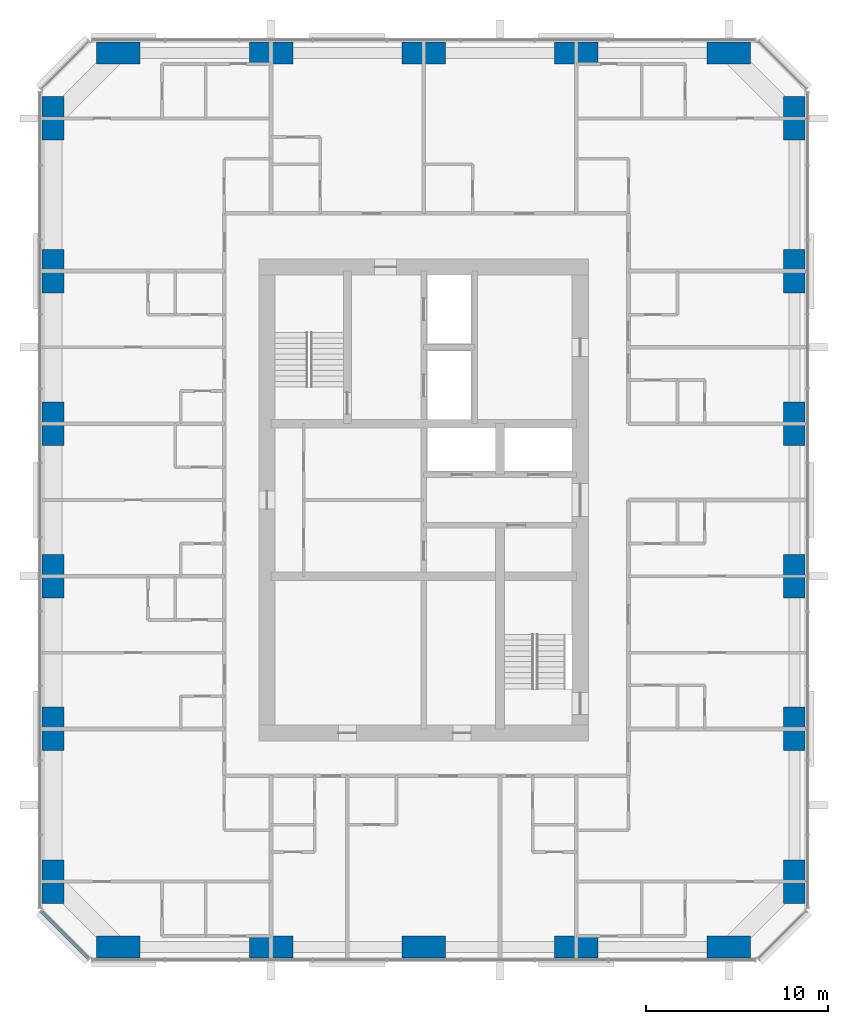
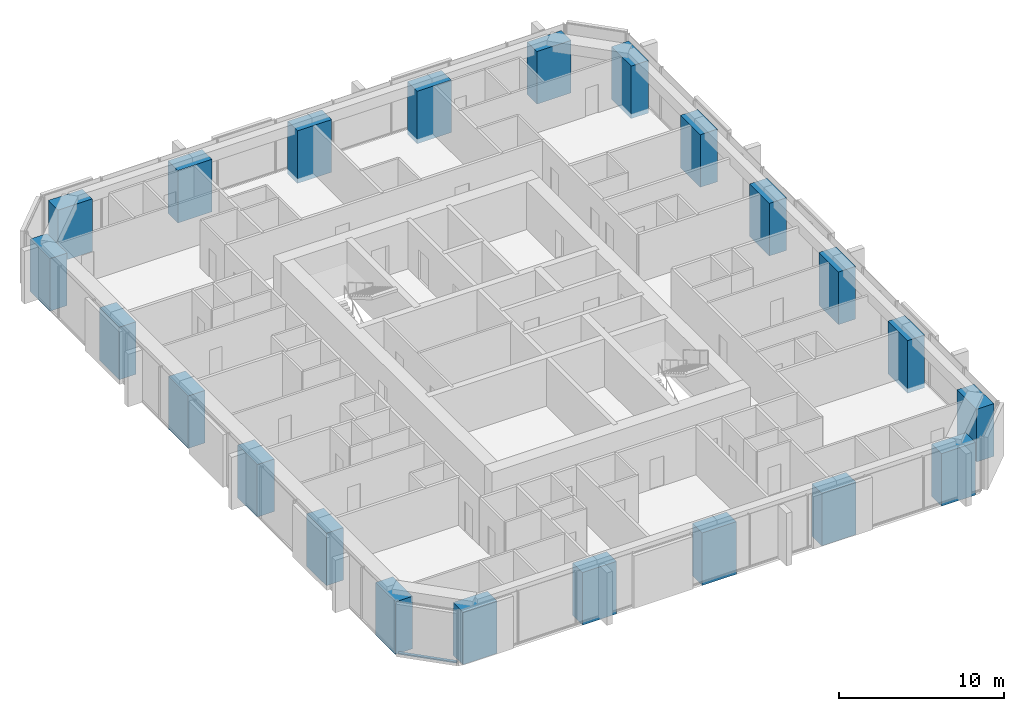
# One storey, part 1 of 12: 22 columns, 1 member, 1 element without a shape of its own.
"""IFC4 building model written with IfcOpenShell, lengths in metres."""

from ifc_helpers import new_model, si_unit, direction, frame, origin, origin_2d, place, context, subcontext, project, spatial, rectangle, extrude, material, material_profile, profile_set, type_object, element, aggregate, save


model = new_model("IFC4")

# Units and contexts
model_context = context("Model", 3, precision=1e-05, world=origin(), true_north=direction((0.0, 1.0)))
body_context = subcontext(model_context, "Body", "Model", "MODEL_VIEW")
ifc_project = project(units=[si_unit("LENGTHUNIT", "METRE"), si_unit("AREAUNIT", "SQUARE_METRE"), si_unit("VOLUMEUNIT", "CUBIC_METRE"), si_unit("PLANEANGLEUNIT", "RADIAN"), si_unit("MASSUNIT", "GRAM", prefix="KILO")], contexts=[model_context])

# Site, building, storey
site_placement = place(None, origin())
site = spatial("IfcSite", under=ifc_project, at=site_placement, CompositionType="ELEMENT")
building_placement = place(site_placement, origin())
building = spatial("IfcBuilding", under=site, at=building_placement, Name="Dunama Terrace Hotel", CompositionType="ELEMENT")
storey_placement = place(building_placement, frame((0.0, 0.0, 233.39990234375)))
storey = spatial("IfcBuildingStorey", under=building, at=storey_placement, Name="L60", CompositionType="ELEMENT", Elevation=233.39990234375)

# Columns
ifc_material_1 = material(Name="Concrete C60/75", Category="concrete")
ifc_material_profile_1 = material_profile(ifc_material_1, rectangle(XDim=1.199951171875, YDim=2.39990234375, at=origin_2d()), Name="RC 1200x2400")
ifc_profile_set_1 = profile_set([ifc_material_profile_1], Name="Concrete C60/75")
column_type_1 = type_object("IfcColumnType", Name="Column RC 1200x2400", PredefinedType="COLUMN", material=ifc_profile_set_1)
for number, where, z_axis, x_axis, name in (
    (1, (13.199951171875, 8.39990234375, -0.349853515625), (0.0, 0.0, 1.0), (1.0, 0.0, 0.0), "Column L60 +13.2/+8.4"),
    (2, (13.199951171875, 16.800048828125, -0.349853515625), (0.0, 0.0, 1.0), (1.0, 0.0, 0.0), "Column L60 +13.2/+16.8"),
    (3, (13.199951171875, 25.199951171875, -0.349853515625), (0.0, 0.0, 1.0), (1.0, 0.0, 0.0), "Column L60 +13.2/+25.2"),
    (4, (13.199951171875, 33.60009765625, -0.349853515625), (0.0, 0.0, 1.0), (1.0, 0.0, 0.0), "Column L60 +13.2/+33.6"),
    (5, (13.199951171875, 42.0, -0.349853515625), (0.0, 0.0, 1.0), (1.0, 0.0, 0.0), "Column L60 +13.2/+42.0"),
    (6, (13.199951171875, 50.39990234375, -0.349853515625), (0.0, 0.0, 1.0), (1.0, 0.0, 0.0), "Column L60 +13.2/+50.4"),
    (7, (54.0, 8.39990234375, -0.349853515625), (0.0, 0.0, 1.0), (1.0, 0.0, 0.0), "Column L60 +54.0/+8.4"),
    (8, (54.0, 16.800048828125, -0.349853515625), (0.0, 0.0, 1.0), (1.0, 0.0, 0.0), "Column L60 +54.0/+16.8"),
    (9, (54.0, 25.199951171875, -0.349853515625), (0.0, 0.0, 1.0), (1.0, 0.0, 0.0), "Column L60 +54.0/+25.2"),
    (10, (54.0, 33.60009765625, -0.349853515625), (0.0, 0.0, 1.0), (1.0, 0.0, 0.0), "Column L60 +54.0/+33.6"),
    (11, (54.0, 42.0, -0.349853515625), (0.0, 0.0, 1.0), (1.0, 0.0, 0.0), "Column L60 +54.0/+42.0"),
    (12, (54.0, 50.39990234375, -0.349853515625), (0.0, 0.0, 1.0), (1.0, 0.0, 0.0), "Column L60 +54.0/+50.4"),
):
    element("IfcColumn", number, at=place(storey_placement, frame(where, z_axis=z_axis, x_axis=x_axis)), inside=storey, type_object=column_type_1, Name=name, PredefinedType="COLUMN", context=body_context, shape_type="SweptSolid", body=[
        extrude(rectangle(XDim=1.199951171875, YDim=2.39990234375, at=origin_2d()), origin(), (0.0, 0.0, 1.0), 3.89990234375),
    ])
ifc_material_2 = material(Name="Concrete C60/75", Category="concrete")
ifc_material_profile_2 = material_profile(ifc_material_2, rectangle(XDim=2.39990234375, YDim=1.199951171875, at=origin_2d()), Name="RC 2400x1200")
ifc_profile_set_2 = profile_set([ifc_material_profile_2], Name="Concrete C60/75")
column_type_2 = type_object("IfcColumnType", Name="Column RC 2400x1200", PredefinedType="COLUMN", material=ifc_profile_set_2)
for number, where, z_axis, x_axis, name in (
    (13, (16.800048828125, 4.800048828125, -0.349853515625), (0.0, 0.0, 1.0), (1.0, 0.0, 0.0), "Column L60 +16.8/+4.8"),
    (14, (16.800048828125, 54.0, -0.349853515625), (0.0, 0.0, 1.0), (1.0, 0.0, 0.0), "Column L60 +16.8/+54.0"),
    (15, (25.199951171875, 4.800048828125, -0.349853515625), (0.0, 0.0, 1.0), (1.0, 0.0, 0.0), "Column L60 +25.2/+4.8"),
    (16, (25.199951171875, 54.0, -0.349853515625), (0.0, 0.0, 1.0), (1.0, 0.0, 0.0), "Column L60 +25.2/+54.0"),
    (17, (33.60009765625, 4.800048828125, -0.349853515625), (0.0, 0.0, 1.0), (1.0, 0.0, 0.0), "Column L60 +33.6/+4.8"),
    (18, (33.60009765625, 54.0, -0.349853515625), (0.0, 0.0, 1.0), (1.0, 0.0, 0.0), "Column L60 +33.6/+54.0"),
    (19, (42.0, 4.800048828125, -0.349853515625), (0.0, 0.0, 1.0), (1.0, 0.0, 0.0), "Column L60 +42.0/+4.8"),
    (20, (42.0, 54.0, -0.349853515625), (0.0, 0.0, 1.0), (1.0, 0.0, 0.0), "Column L60 +42.0/+54.0"),
    (21, (50.39990234375, 4.800048828125, -0.349853515625), (0.0, 0.0, 1.0), (1.0, 0.0, 0.0), "Column L60 +50.4/+4.8"),
    (22, (50.39990234375, 54.0, -0.349853515625), (0.0, 0.0, 1.0), (1.0, 0.0, 0.0), "Column L60 +50.4/+54.0"),
):
    element("IfcColumn", number, at=place(storey_placement, frame(where, z_axis=z_axis, x_axis=x_axis)), inside=storey, type_object=column_type_2, Name=name, PredefinedType="COLUMN", context=body_context, shape_type="SweptSolid", body=[
        extrude(rectangle(XDim=2.39990234375, YDim=1.199951171875, at=origin_2d()), origin(), (0.0, 0.0, 1.0), 3.89990234375),
    ])

# Curtain wall, member
ifc_material_3 = material(Name="Aluminium curtain wall system", Category="aluminium")
curtain_wall_type = type_object("IfcCurtainWallType", Name="Unitised fritted glass wall CW-D", PredefinedType="NOTDEFINED", material=ifc_material_3)
curtain_wall_placement = place(storey_placement, origin())
curtain_wall = element("IfcCurtainWall", 23, at=curtain_wall_placement, inside=storey, type_object=curtain_wall_type, Name="Unitised fritted glass wall CW-D L60", PredefinedType="NOTDEFINED")
ifc_material_4 = material(Name="Aluminium transom", Category="aluminium")
ifc_material_profile_3 = material_profile(ifc_material_4, rectangle(XDim=0.199951171875, YDim=0.0849609375, at=origin_2d()), Name="CWD TRANSOM 200X85")
ifc_profile_set_3 = profile_set([ifc_material_profile_3], Name="Aluminium transom")
member_type = type_object("IfcMemberType", Name="CWD transom 200x85", PredefinedType="USERDEFINED", material=ifc_profile_set_3)
member_placement = place(storey_placement, frame((12.56494140625, 6.76611328125, 0.04248046875), z_axis=(0.707106781187, -0.707106781187, 0.0), x_axis=(0.707106781187, 0.707106781187, 0.0)))
member = element("IfcMember", 24, at=member_placement, type_object=member_type, Name="CWD transom", ObjectType="TRANSOM", PredefinedType="USERDEFINED", context=body_context, shape_type="SweptSolid", body=[
    extrude(rectangle(XDim=0.199951171875, YDim=0.0849609375, at=origin_2d()), origin(), (0.0, 0.0, 1.0), 3.678466796875),
])
aggregate(curtain_wall, [member])

save(model, "model.ifc")
